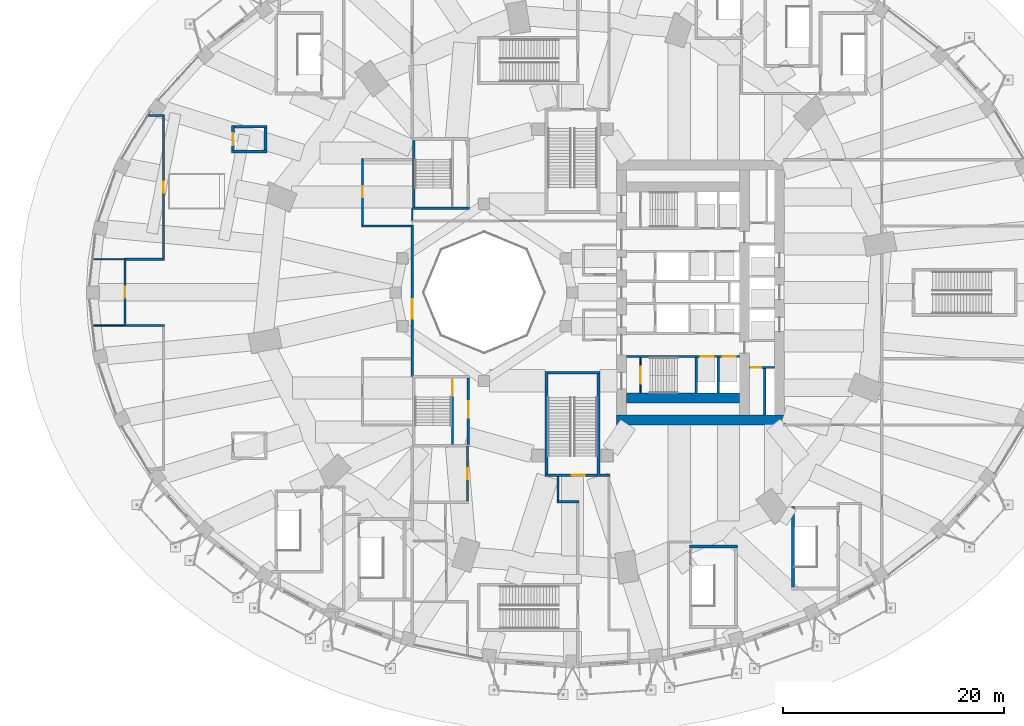
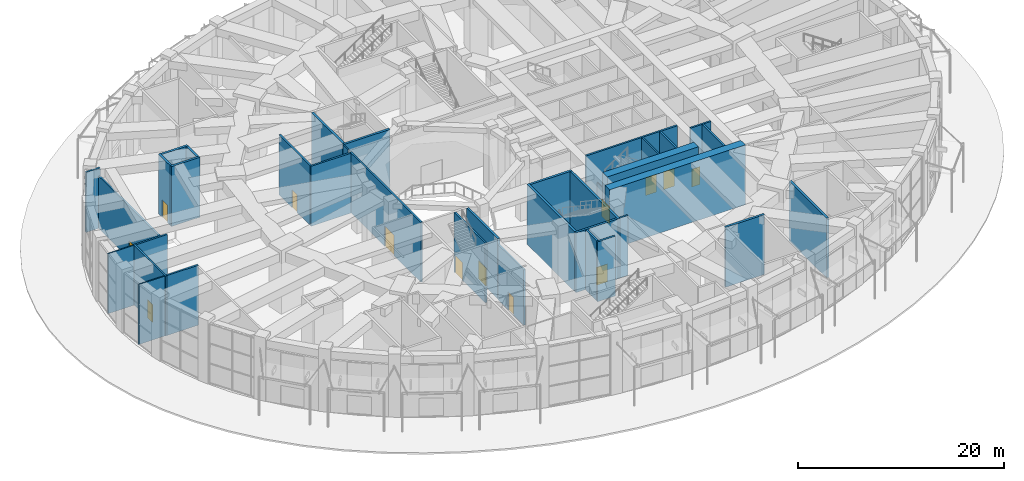
# One storey, part 35 of 60: 37 walls, 13 doors, 13 openings.
"""IFC4 building model written with IfcOpenShell, lengths in metres."""

from ifc_helpers import new_model, si_unit, direction, frame, frame_2d, origin, place, context, subcontext, project, spatial, rectangle, extrude, material, layer, layer_set, type_object, element, fill, save


model = new_model("IFC4")

# Units and contexts
model_context = context("Model", 3, precision=1e-05, world=origin(), true_north=direction((0.0, 1.0)))
body_context = subcontext(model_context, "Body", "Model", "MODEL_VIEW")
ifc_project = project(units=[si_unit("LENGTHUNIT", "METRE"), si_unit("AREAUNIT", "SQUARE_METRE"), si_unit("VOLUMEUNIT", "CUBIC_METRE"), si_unit("PLANEANGLEUNIT", "RADIAN"), si_unit("MASSUNIT", "GRAM", prefix="KILO")], contexts=[model_context])

# Site, building, storey
site_placement = place(None, origin())
site = spatial("IfcSite", under=ifc_project, at=site_placement, CompositionType="ELEMENT")
building_placement = place(site_placement, origin())
building = spatial("IfcBuilding", under=site, at=building_placement, Name="Taillehof Tower", CompositionType="ELEMENT")
storey_placement = place(building_placement, origin())
storey = spatial("IfcBuildingStorey", under=building, at=storey_placement, Name="L00", CompositionType="ELEMENT", Elevation=0.0)

# Walls
ifc_material_1 = material(Name="Calcium silicate blockwork", Category="masonry")
ifc_layer_1 = layer(ifc_material_1, 0.199951171875)
ifc_layer_set_1 = layer_set([ifc_layer_1], Name="Compartment wall EI 60 200 mm")
wall_type_1 = type_object("IfcWallType", Name="Compartment wall EI 60 200 mm", PredefinedType="PARTITIONING", material=ifc_layer_set_1)
wall_1_placement = place(storey_placement, frame((-1.39990234375, -18.945068359375, 0.0), z_axis=(0.0, 0.0, 1.0), x_axis=(1.0, 0.0, 0.0)))
element("IfcWall", 1, at=wall_1_placement, inside=storey, type_object=wall_type_1, Name="Wall L00-34 / L00-36", PredefinedType="PARTITIONING", context=body_context, shape_type="SweptSolid", body=[
    extrude(rectangle(XDim=1.98486328125, YDim=0.199951171875, at=frame_2d((0.992431640625, 0.0))), origin(), (0.0, 0.0, 1.0), 7.090087890625),
])
wall_2_placement = place(storey_placement, frame((2.47509765625, -16.544921875, 0.0), z_axis=(0.0, 0.0, 1.0), x_axis=(1.0, 0.0, 0.0)))
element("IfcWall", 2, at=wall_2_placement, inside=storey, type_object=wall_type_1, Name="Wall L00-34 / L00-36", PredefinedType="PARTITIONING", context=body_context, shape_type="SweptSolid", body=[
    extrude(rectangle(XDim=0.9248046875, YDim=0.199951171875, at=frame_2d((0.46240234375, 0.0))), origin(), (0.0, 0.0, 1.0), 7.090087890625),
])
for number, where, z_axis, x_axis, name in (
    (3, (-40.39990234375, -3.0, 0.0), (0.0, 0.0, 1.0), (1.0, 0.0, 0.0), "Wall L00-16 / L00-35"),
    (4, (-40.39990234375, 3.0, 0.0), (0.0, 0.0, 1.0), (1.0, 0.0, 0.0), "Wall L00-18 / L00-35"),
):
    element("IfcWall", number, at=place(storey_placement, frame(where, z_axis=z_axis, x_axis=x_axis)), inside=storey, type_object=wall_type_1, Name=name, PredefinedType="PARTITIONING", context=body_context, shape_type="SweptSolid", body=[
        extrude(rectangle(XDim=3.5, YDim=0.199951171875, at=frame_2d((1.75, 0.0))), origin(), (0.0, 0.0, 1.0), 7.090087890625),
    ])
wall_3_placement = place(storey_placement, frame((-19.10009765625, 6.0, 0.0), z_axis=(0.0, 0.0, 1.0), x_axis=(1.0, 0.0, 0.0)))
element("IfcWall", 5, at=wall_3_placement, inside=storey, type_object=wall_type_1, Name="Wall L00-20 / L00-35", PredefinedType="PARTITIONING", context=body_context, shape_type="SweptSolid", body=[
    extrude(rectangle(XDim=4.5, YDim=0.199951171875, at=frame_2d((2.25, 0.0))), origin(), (0.0, 0.0, 1.0), 7.090087890625),
])
wall_4_placement = place(storey_placement, frame((-38.48974609375, 16.0, 0.0), z_axis=(0.0, 0.0, 1.0), x_axis=(1.0, 0.0, 0.0)))
element("IfcWall", 6, at=wall_4_placement, inside=storey, type_object=wall_type_1, Name="Wall L00-18 / L00-35", PredefinedType="PARTITIONING", context=body_context, shape_type="SweptSolid", body=[
    extrude(rectangle(XDim=1.58984375, YDim=0.199951171875, at=frame_2d((0.794921875, 0.0))), origin(), (0.0, 0.0, 1.0), 7.090087890625),
])

# Wall, opening, door
wall_5_placement = place(storey_placement, frame((-40.5, -3.10009765625, 0.0), z_axis=(0.0, 0.0, 1.0), x_axis=(0.0, 1.0, 0.0)))
wall_5 = element("IfcWall", 7, at=wall_5_placement, inside=storey, type_object=wall_type_1, Name="Wall L00-17 / L00-35", PredefinedType="PARTITIONING", context=body_context, shape_type="SweptSolid", body=[
    extrude(rectangle(XDim=6.2001953125, YDim=0.199951171875, at=frame_2d((3.10009765625, 0.0))), origin(), (0.0, 0.0, 1.0), 7.090087890625),
])
opening_1_placement = place(wall_5_placement, frame((2.60009765625, 0.0, 0.0)))
opening_1 = element("IfcOpeningElement", 8, at=opening_1_placement, cuts=wall_5, Name="Opening D0060", PredefinedType="OPENING", context=body_context, shape_type="SweptSolid", body=[
    extrude(rectangle(XDim=1.0, YDim=2.10009765625, at=frame_2d((0.5, 1.050048828125))), frame((0.0, 0.10986328125, 0.0), z_axis=(0.0, -1.0, 0.0), x_axis=(1.0, 0.0, 0.0)), (0.0, 0.0, 1.0), 0.219970703125),
])
ifc_material_2 = material(Name="Hollow metal door set")
door_type_1 = type_object("IfcDoorType", Name="Single door 1000 x 2100 FD60S", OperationType="SINGLE_SWING_LEFT", PredefinedType="DOOR", material=ifc_material_2)
door_1_placement = place(opening_1_placement, origin())
door_1 = element("IfcDoor", 9, at=door_1_placement, inside=storey, type_object=door_type_1, Name="Door D0060", OperationType="SINGLE_SWING_LEFT", OverallHeight=2.10009765625, OverallWidth=1.0, PredefinedType="DOOR", context=body_context, shape_type="SweptSolid", body=[
    extrude(rectangle(XDim=1.0, YDim=2.10009765625, at=frame_2d((0.5, 1.050048828125))), frame((0.0, 0.02490234375, 0.0), z_axis=(0.0, -1.0, 0.0), x_axis=(1.0, 0.0, 0.0)), (0.0, 0.0, 1.0), 0.050048828125),
])
fill(opening_1, door_1)

wall_6_placement = place(storey_placement, frame((-37.0, 3.10009765625, 0.0), z_axis=(0.0, 0.0, 1.0), x_axis=(0.0, 1.0, 0.0)))
wall_6 = element("IfcWall", 10, at=wall_6_placement, inside=storey, type_object=wall_type_1, Name="Wall L00-18 / L00-35", PredefinedType="PARTITIONING", context=body_context, shape_type="SweptSolid", body=[
    extrude(rectangle(XDim=12.7998046875, YDim=0.199951171875, at=frame_2d((6.39990234375, 0.0))), origin(), (0.0, 0.0, 1.0), 6.18994140625),
])
opening_2_placement = place(wall_6_placement, frame((5.89990234375, 0.0, 0.0)))
opening_2 = element("IfcOpeningElement", 11, at=opening_2_placement, cuts=wall_6, Name="Opening D0066", PredefinedType="OPENING", context=body_context, shape_type="SweptSolid", body=[
    extrude(rectangle(XDim=1.0, YDim=2.10009765625, at=frame_2d((0.5, 1.050048828125))), frame((0.0, 0.10986328125, 0.0), z_axis=(0.0, -1.0, 0.0), x_axis=(1.0, 0.0, 0.0)), (0.0, 0.0, 1.0), 0.219970703125),
])
door_2_placement = place(opening_2_placement, origin())
door_2 = element("IfcDoor", 12, at=door_2_placement, inside=storey, type_object=door_type_1, Name="Door D0066", OperationType="SINGLE_SWING_LEFT", OverallHeight=2.10009765625, OverallWidth=1.0, PredefinedType="DOOR", context=body_context, shape_type="SweptSolid", body=[
    extrude(rectangle(XDim=1.0, YDim=2.10009765625, at=frame_2d((0.5, 1.050048828125))), frame((0.0, 0.02490234375, 0.0), z_axis=(0.0, -1.0, 0.0), x_axis=(1.0, 0.0, 0.0)), (0.0, 0.0, 1.0), 0.050048828125),
])
fill(opening_2, door_2)

wall_7_placement = place(storey_placement, frame((-19.0, 6.10009765625, 0.0), z_axis=(0.0, 0.0, 1.0), x_axis=(0.0, 1.0, 0.0)))
wall_7 = element("IfcWall", 13, at=wall_7_placement, inside=storey, type_object=wall_type_1, Name="Wall L00-20 / L00-35", PredefinedType="PARTITIONING", context=body_context, shape_type="SweptSolid", body=[
    extrude(rectangle(XDim=6.0, YDim=0.199951171875, at=frame_2d((3.0, 0.0))), origin(), (0.0, 0.0, 1.0), 7.090087890625),
])
opening_3_placement = place(wall_7_placement, frame((2.5, 0.0, 0.0)))
opening_3 = element("IfcOpeningElement", 14, at=opening_3_placement, cuts=wall_7, Name="Opening D0065", PredefinedType="OPENING", context=body_context, shape_type="SweptSolid", body=[
    extrude(rectangle(XDim=1.0, YDim=2.10009765625, at=frame_2d((0.5, 1.050048828125))), frame((0.0, 0.10986328125, 0.0), z_axis=(0.0, -1.0, 0.0), x_axis=(1.0, 0.0, 0.0)), (0.0, 0.0, 1.0), 0.219970703125),
])
door_3_placement = place(opening_3_placement, origin())
door_3 = element("IfcDoor", 15, at=door_3_placement, inside=storey, type_object=door_type_1, Name="Door D0065", OperationType="SINGLE_SWING_LEFT", OverallHeight=2.10009765625, OverallWidth=1.0, PredefinedType="DOOR", context=body_context, shape_type="SweptSolid", body=[
    extrude(rectangle(XDim=1.0, YDim=2.10009765625, at=frame_2d((0.5, 1.050048828125))), frame((0.0, 0.02490234375, 0.0), z_axis=(0.0, -1.0, 0.0), x_axis=(1.0, 0.0, 0.0)), (0.0, 0.0, 1.0), 0.050048828125),
])
fill(opening_3, door_3)

wall_8_placement = place(storey_placement, frame((-14.5, -7.60009765625, 0.0), z_axis=(0.0, 0.0, 1.0), x_axis=(0.0, 1.0, 0.0)))
wall_8 = element("IfcWall", 16, at=wall_8_placement, inside=storey, type_object=wall_type_1, Name="Wall L00-19 / L00-36", PredefinedType="PARTITIONING", context=body_context, shape_type="SweptSolid", body=[
    extrude(rectangle(XDim=13.7001953125, YDim=0.199951171875, at=frame_2d((6.85009765625, 0.0))), origin(), (0.0, 0.0, 1.0), 7.090087890625),
])
opening_4_placement = place(wall_8_placement, frame((5.199951171875, 0.0, 0.0)))
opening_4 = element("IfcOpeningElement", 17, at=opening_4_placement, cuts=wall_8, Name="Opening D0058", PredefinedType="OPENING", context=body_context, shape_type="SweptSolid", body=[
    extrude(rectangle(XDim=1.800048828125, YDim=2.39990234375, at=frame_2d((0.89990234375, 1.199951171875))), frame((0.0, 0.10986328125, 0.0), z_axis=(0.0, -1.0, 0.0), x_axis=(1.0, 0.0, 0.0)), (0.0, 0.0, 1.0), 0.219970703125),
])
ifc_material_3 = material(Name="Glazed aluminium door set", Category="aluminium")
door_type_2 = type_object("IfcDoorType", Name="Glazed double door 1800 x 2400 FD60S", OperationType="DOUBLE_DOOR_SINGLE_SWING", PredefinedType="DOOR", material=ifc_material_3)
door_4_placement = place(opening_4_placement, origin())
door_4 = element("IfcDoor", 18, at=door_4_placement, inside=storey, type_object=door_type_2, Name="Door D0058", OperationType="DOUBLE_DOOR_SINGLE_SWING", OverallHeight=2.39990234375, OverallWidth=1.800048828125, PredefinedType="DOOR", context=body_context, shape_type="SweptSolid", body=[
    extrude(rectangle(XDim=1.800048828125, YDim=2.39990234375, at=frame_2d((0.89990234375, 1.199951171875))), frame((0.0, 0.02490234375, 0.0), z_axis=(0.0, -1.0, 0.0), x_axis=(1.0, 0.0, 0.0)), (0.0, 0.0, 1.0), 0.050048828125),
])
fill(opening_4, door_4)

wall_9_placement = place(storey_placement, frame((-9.5, -18.89990234375, 0.0), z_axis=(0.0, 0.0, 1.0), x_axis=(0.0, 1.0, 0.0)))
wall_9 = element("IfcWall", 19, at=wall_9_placement, inside=storey, type_object=wall_type_1, Name="Wall L00-21 / L00-36", PredefinedType="PARTITIONING", context=body_context, shape_type="SweptSolid", body=[
    extrude(rectangle(XDim=5.0, YDim=0.199951171875, at=frame_2d((2.5, 0.0))), origin(), (0.0, 0.0, 1.0), 6.5400390625),
])
opening_5_placement = place(wall_9_placement, frame((2.0, 0.0, 0.0)))
opening_5 = element("IfcOpeningElement", 20, at=opening_5_placement, cuts=wall_9, Name="Opening D0051", PredefinedType="OPENING", context=body_context, shape_type="SweptSolid", body=[
    extrude(rectangle(XDim=1.0, YDim=2.10009765625, at=frame_2d((0.5, 1.050048828125))), frame((0.0, 0.10986328125, 0.0), z_axis=(0.0, -1.0, 0.0), x_axis=(1.0, 0.0, 0.0)), (0.0, 0.0, 1.0), 0.219970703125),
])
door_5_placement = place(opening_5_placement, origin())
door_5 = element("IfcDoor", 21, at=door_5_placement, inside=storey, type_object=door_type_1, Name="Door D0051", OperationType="SINGLE_SWING_LEFT", OverallHeight=2.10009765625, OverallWidth=1.0, PredefinedType="DOOR", context=body_context, shape_type="SweptSolid", body=[
    extrude(rectangle(XDim=1.0, YDim=2.10009765625, at=frame_2d((0.5, 1.050048828125))), frame((0.0, 0.02490234375, 0.0), z_axis=(0.0, -1.0, 0.0), x_axis=(1.0, 0.0, 0.0)), (0.0, 0.0, 1.0), 0.050048828125),
])
fill(opening_5, door_5)

# Wall
wall_10_placement = place(storey_placement, frame((-1.300048828125, -18.844970703125, 0.0), z_axis=(0.0, 0.0, 1.0), x_axis=(0.0, 1.0, 0.0)))
element("IfcWall", 22, at=wall_10_placement, inside=storey, type_object=wall_type_1, Name="Wall L00-34 / L00-36", PredefinedType="PARTITIONING", context=body_context, shape_type="SweptSolid", body=[
    extrude(rectangle(XDim=2.175048828125, YDim=0.199951171875, at=frame_2d((1.08740234375, 0.0))), origin(), (0.0, 0.0, 1.0), 7.090087890625),
])

# Wall, opening, door
ifc_material_4 = material(Name="Calcium silicate masonry", Category="masonry")
ifc_layer_2 = layer(ifc_material_4, 0.199951171875)
ifc_layer_set_2 = layer_set([ifc_layer_2], Name="Compartment wall calcium silicate 200")
wall_type_2 = type_object("IfcWallType", Name="Compartment wall calcium silicate 200", PredefinedType="PARTITIONING", material=ifc_layer_set_2)
wall_11_placement = place(storey_placement, frame((16.0, -6.800048828125, 0.0), z_axis=(0.0, 0.0, 1.0), x_axis=(1.0, 0.0, 0.0)))
wall_11 = element("IfcWall", 23, at=wall_11_placement, inside=storey, type_object=wall_type_2, Name="Compartment wall FW", PredefinedType="PARTITIONING", context=body_context, shape_type="SweptSolid", body=[
    extrude(rectangle(XDim=2.300048828125, YDim=0.199951171875, at=frame_2d((1.14990234375, 0.0))), origin(), (0.0, 0.0, 1.0), 7.090087890625),
])
opening_6_placement = place(wall_11_placement, frame((0.199951171875, 0.0, 0.0)))
opening_6 = element("IfcOpeningElement", 24, at=opening_6_placement, cuts=wall_11, Name="Opening D0016", PredefinedType="OPENING", context=body_context, shape_type="SweptSolid", body=[
    extrude(rectangle(XDim=0.89990234375, YDim=2.10009765625, at=frame_2d((0.449951171875, 1.050048828125))), frame((0.0, 0.10986328125, 0.0), z_axis=(0.0, -1.0, 0.0), x_axis=(1.0, 0.0, 0.0)), (0.0, 0.0, 1.0), 0.219970703125),
])
ifc_material_5 = material(Name="Steel-faced fire door", Category="steel")
door_type_3 = type_object("IfcDoorType", Name="Riser and service room door 900x2100", OperationType="SINGLE_SWING_LEFT", PredefinedType="DOOR", material=ifc_material_5)
door_6_placement = place(opening_6_placement, origin())
door_6 = element("IfcDoor", 25, at=door_6_placement, inside=storey, type_object=door_type_3, Name="Door Comms Room", OperationType="SINGLE_SWING_LEFT", OverallHeight=2.10009765625, OverallWidth=0.89990234375, PredefinedType="DOOR", context=body_context, shape_type="SweptSolid", body=[
    extrude(rectangle(XDim=0.89990234375, YDim=2.10009765625, at=frame_2d((0.449951171875, 1.050048828125))), frame((0.0, 0.02490234375, 0.0), z_axis=(0.0, -1.0, 0.0), x_axis=(1.0, 0.0, 0.0)), (0.0, 0.0, 1.0), 0.050048828125),
])
fill(opening_6, door_6)

# Walls
wall_12_placement = place(storey_placement, frame((17.39990234375, -11.10009765625, 0.0), z_axis=(0.0, 0.0, 1.0), x_axis=(0.0, 1.0, 0.0)))
element("IfcWall", 26, at=wall_12_placement, inside=storey, type_object=wall_type_2, Name="Compartment wall FW", PredefinedType="PARTITIONING", context=body_context, shape_type="SweptSolid", body=[
    extrude(rectangle(XDim=4.2001953125, YDim=0.199951171875, at=frame_2d((2.10009765625, 0.0))), origin(), (0.0, 0.0, 1.0), 7.090087890625),
])
ifc_material_6 = material(Name="Concrete C80/95", Category="concrete")
ifc_layer_3 = layer(ifc_material_6, 0.89990234375)
ifc_layer_set_3 = layer_set([ifc_layer_3], Name="Core wall C80/95 900")
wall_type_3 = type_object("IfcWallType", Name="Core wall C80/95 900", PredefinedType="SHEAR", material=ifc_layer_set_3)
wall_13_placement = place(storey_placement, frame((4.0, -11.550048828125, 0.0), z_axis=(0.0, 0.0, 1.0), x_axis=(1.0, 0.0, 0.0)))
element("IfcWall", 27, at=wall_13_placement, inside=storey, type_object=wall_type_3, Name="Core wall CW04", PredefinedType="SHEAR", context=body_context, shape_type="SweptSolid", body=[
    extrude(rectangle(XDim=15.199951171875, YDim=0.89990234375, at=frame_2d((7.60009765625, 0.0))), origin(), (0.0, 0.0, 1.0), 7.090087890625),
])
wall_14_placement = place(storey_placement, frame((4.89990234375, -9.550048828125, 0.0), z_axis=(0.0, 0.0, 1.0), x_axis=(1.0, 0.0, 0.0)))
element("IfcWall", 28, at=wall_14_placement, inside=storey, type_object=wall_type_3, Name="Core wall CW07", PredefinedType="SHEAR", context=body_context, shape_type="SweptSolid", body=[
    extrude(rectangle(XDim=10.2001953125, YDim=0.89990234375, at=frame_2d((5.10009765625, 0.0))), origin(), (0.0, 0.0, 1.0), 7.090087890625),
])
ifc_material_7 = material(Name="Gypsum board partition on steel studs", Category="steel")
ifc_layer_4 = layer(ifc_material_7, 0.125)
ifc_layer_set_4 = layer_set([ifc_layer_4], Name="Partition wall EI 30 125 mm")
wall_type_4 = type_object("IfcWallType", Name="Partition wall EI 30 125 mm", PredefinedType="PARTITIONING", material=ifc_layer_set_4)
for number, where, z_axis, x_axis, name in (
    (29, (-43.53564453125, -3.0, 0.0), (0.0, 0.0, 1.0), (1.0, 0.0, 0.0), "Wall L00-16 / L00-17"),
    (30, (-43.53564453125, 3.0, 0.0), (0.0, 0.0, 1.0), (1.0, 0.0, 0.0), "Wall L00-17 / L00-18"),
):
    element("IfcWall", number, at=place(storey_placement, frame(where, z_axis=z_axis, x_axis=x_axis)), inside=storey, type_object=wall_type_4, Name=name, PredefinedType="PARTITIONING", context=body_context, shape_type="SweptSolid", body=[
        extrude(rectangle(XDim=2.935546875, YDim=0.125, at=frame_2d((1.4677734375, 0.0))), origin(), (0.0, 0.0, 1.0), 7.090087890625),
    ])
wall_15_placement = place(storey_placement, frame((-14.5, 6.550048828125, 0.0), z_axis=(0.0, 0.0, 1.0), x_axis=(0.0, 1.0, 0.0)))
element("IfcWall", 31, at=wall_15_placement, inside=storey, type_object=wall_type_4, Name="Wall L00-20 / L00-37", PredefinedType="PARTITIONING", context=body_context, shape_type="SweptSolid", body=[
    extrude(rectangle(XDim=1.012451171875, YDim=0.125, at=frame_2d((0.50634765625, 0.0))), origin(), (0.0, 0.0, 1.0), 7.090087890625),
])

# Wall, openings, doors
ifc_material_8 = material(Name="Concrete C50/60", Category="concrete")
ifc_layer_5 = layer(ifc_material_8, 0.199951171875)
ifc_layer_set_5 = layer_set([ifc_layer_5], Name="Shaft wall C50/60 200")
wall_type_5 = type_object("IfcWallType", Name="Shaft wall C50/60 200", PredefinedType="SHEAR", material=ifc_layer_set_5)
wall_16_placement = place(storey_placement, frame((4.89990234375, -5.800048828125, 0.0), z_axis=(0.0, 0.0, 1.0), x_axis=(1.0, 0.0, 0.0)))
wall_16 = element("IfcWall", 32, at=wall_16_placement, inside=storey, type_object=wall_type_5, Name="Shaft wall SW", PredefinedType="SHEAR", context=body_context, shape_type="SweptSolid", body=[
    extrude(rectangle(XDim=10.2001953125, YDim=0.199951171875, at=frame_2d((5.10009765625, 0.0))), origin(), (0.0, 0.0, 1.0), 7.090087890625),
])
opening_7_placement = place(wall_16_placement, frame((6.699951171875, 0.0, 0.0)))
opening_7 = element("IfcOpeningElement", 33, at=opening_7_placement, cuts=wall_16, Name="Opening LD2", PredefinedType="OPENING", context=body_context, shape_type="SweptSolid", body=[
    extrude(rectangle(XDim=1.199951171875, YDim=2.10009765625, at=frame_2d((0.60009765625, 1.050048828125))), frame((0.0, 0.10986328125, 0.0), z_axis=(0.0, -1.0, 0.0), x_axis=(1.0, 0.0, 0.0)), (0.0, 0.0, 1.0), 0.219970703125),
])
opening_8_placement = place(wall_16_placement, frame((8.699951171875, 0.0, 0.0)))
opening_8 = element("IfcOpeningElement", 34, at=opening_8_placement, cuts=wall_16, Name="Opening LD2", PredefinedType="OPENING", context=body_context, shape_type="SweptSolid", body=[
    extrude(rectangle(XDim=1.199951171875, YDim=2.10009765625, at=frame_2d((0.60009765625, 1.050048828125))), frame((0.0, 0.10986328125, 0.0), z_axis=(0.0, -1.0, 0.0), x_axis=(1.0, 0.0, 0.0)), (0.0, 0.0, 1.0), 0.219970703125),
])
ifc_material_9 = material(Name="Stainless steel", Category="steel")
door_type_4 = type_object("IfcDoorType", Name="Lift landing door LD2 1200x2100", OperationType="DOUBLE_DOOR_SLIDING", PredefinedType="DOOR", material=ifc_material_9)
door_7_placement = place(opening_7_placement, origin())
door_7 = element("IfcDoor", 35, at=door_7_placement, inside=storey, type_object=door_type_4, Name="Landing door OB1", OperationType="DOUBLE_DOOR_SLIDING", OverallHeight=2.10009765625, OverallWidth=1.199951171875, PredefinedType="DOOR", context=body_context, shape_type="SweptSolid", body=[
    extrude(rectangle(XDim=1.199951171875, YDim=2.10009765625, at=frame_2d((0.60009765625, 1.050048828125))), frame((0.0, 0.02490234375, 0.0), z_axis=(0.0, -1.0, 0.0), x_axis=(1.0, 0.0, 0.0)), (0.0, 0.0, 1.0), 0.050048828125),
])
fill(opening_7, door_7)
door_8_placement = place(opening_8_placement, origin())
door_8 = element("IfcDoor", 36, at=door_8_placement, inside=storey, type_object=door_type_4, Name="Landing door OB2", OperationType="DOUBLE_DOOR_SLIDING", OverallHeight=2.10009765625, OverallWidth=1.199951171875, PredefinedType="DOOR", context=body_context, shape_type="SweptSolid", body=[
    extrude(rectangle(XDim=1.199951171875, YDim=2.10009765625, at=frame_2d((0.60009765625, 1.050048828125))), frame((0.0, 0.02490234375, 0.0), z_axis=(0.0, -1.0, 0.0), x_axis=(1.0, 0.0, 0.0)), (0.0, 0.0, 1.0), 0.050048828125),
])
fill(opening_8, door_8)

# Walls
for number, where, z_axis, x_axis, name in (
    (37, (11.199951171875, -9.10009765625, 0.0), (0.0, 0.0, 1.0), (0.0, 1.0, 0.0), "Shaft wall SW"),
    (38, (13.199951171875, -9.10009765625, 0.0), (0.0, 0.0, 1.0), (0.0, 1.0, 0.0), "Shaft wall SW"),
):
    element("IfcWall", number, at=place(storey_placement, frame(where, z_axis=z_axis, x_axis=x_axis)), inside=storey, type_object=wall_type_5, Name=name, PredefinedType="SHEAR", context=body_context, shape_type="SweptSolid", body=[
        extrude(rectangle(XDim=3.2001953125, YDim=0.199951171875, at=frame_2d((1.60009765625, 0.0))), origin(), (0.0, 0.0, 1.0), 7.090087890625),
    ])

# Wall, opening, door
wall_17_placement = place(storey_placement, frame((-10.85009765625, -13.75, 0.0), z_axis=(0.0, 0.0, 1.0), x_axis=(0.0, 1.0, 0.0)))
wall_17 = element("IfcWall", 39, at=wall_17_placement, inside=storey, type_object=wall_type_5, Name="Shaft wall SW", PredefinedType="SHEAR", context=body_context, shape_type="SweptSolid", body=[
    extrude(rectangle(XDim=6.0, YDim=0.199951171875, at=frame_2d((3.0, 0.0))), origin(), (0.0, 0.0, 1.0), 7.090087890625),
])
opening_9_placement = place(wall_17_placement, frame((4.39990234375, 0.0, 0.0)))
opening_9 = element("IfcOpeningElement", 40, at=opening_9_placement, cuts=wall_17, Name="Opening D0011", PredefinedType="OPENING", context=body_context, shape_type="SweptSolid", body=[
    extrude(rectangle(XDim=1.5, YDim=2.10009765625, at=frame_2d((0.75, 1.050048828125))), frame((0.0, 0.10986328125, 0.0), z_axis=(0.0, -1.0, 0.0), x_axis=(1.0, 0.0, 0.0)), (0.0, 0.0, 1.0), 0.219970703125),
])
ifc_material_10 = material(Name="Steel-faced fire door", Category="steel")
door_type_5 = type_object("IfcDoorType", Name="Stair door 1500x2100", OperationType="DOUBLE_DOOR_SINGLE_SWING", PredefinedType="DOOR", material=ifc_material_10)
door_9_placement = place(opening_9_placement, origin())
door_9 = element("IfcDoor", 41, at=door_9_placement, inside=storey, type_object=door_type_5, Name="Stair lobby door S4", OperationType="DOUBLE_DOOR_SINGLE_SWING", OverallHeight=2.10009765625, OverallWidth=1.5, PredefinedType="DOOR", context=body_context, shape_type="SweptSolid", body=[
    extrude(rectangle(XDim=1.5, YDim=2.10009765625, at=frame_2d((0.75, 1.050048828125))), frame((0.0, 0.02490234375, 0.0), z_axis=(0.0, -1.0, 0.0), x_axis=(1.0, 0.0, 0.0)), (0.0, 0.0, 1.0), 0.050048828125),
])
fill(opening_9, door_9)

# Walls
ifc_material_11 = material(Name="Calcium silicate blockwork", Category="masonry")
ifc_layer_6 = layer(ifc_material_11, 0.25)
ifc_layer_set_6 = layer_set([ifc_layer_6], Name="Shaft wall EI 120 250 mm")
wall_type_6 = type_object("IfcWallType", Name="Shaft wall EI 120 250 mm", PredefinedType="SHEAR", material=ifc_layer_set_6)
wall_18_placement = place(storey_placement, frame((-30.85009765625, 12.75, 0.0), z_axis=(0.0, 0.0, 1.0), x_axis=(1.0, 0.0, 0.0)))
element("IfcWall", 42, at=wall_18_placement, inside=storey, type_object=wall_type_6, Name="Wall L00-14 / L00-35", PredefinedType="SHEAR", context=body_context, shape_type="SweptSolid", body=[
    extrude(rectangle(XDim=3.2001953125, YDim=0.25, at=frame_2d((1.60009765625, 0.0))), origin(), (0.0, 0.0, 1.0), 7.090087890625),
])
wall_19_placement = place(storey_placement, frame((-30.60009765625, 15.0, 0.0), z_axis=(0.0, 0.0, 1.0), x_axis=(1.0, 0.0, 0.0)))
element("IfcWall", 43, at=wall_19_placement, inside=storey, type_object=wall_type_6, Name="Wall L00-14 / L00-35", PredefinedType="SHEAR", context=body_context, shape_type="SweptSolid", body=[
    extrude(rectangle(XDim=2.9501953125, YDim=0.25, at=frame_2d((1.47509765625, 0.0))), origin(), (0.0, 0.0, 1.0), 7.090087890625),
])

# Wall, opening, door
wall_20_placement = place(storey_placement, frame((-30.72509765625, 12.875, 0.0), z_axis=(0.0, 0.0, 1.0), x_axis=(0.0, 1.0, 0.0)))
wall_20 = element("IfcWall", 44, at=wall_20_placement, inside=storey, type_object=wall_type_6, Name="Wall L00-14 / L00-35", PredefinedType="SHEAR", context=body_context, shape_type="SweptSolid", body=[
    extrude(rectangle(XDim=2.25, YDim=0.25, at=frame_2d((1.125, 0.0))), origin(), (0.0, 0.0, 1.0), 7.090087890625),
])
opening_10_placement = place(wall_20_placement, frame((0.449951171875, 0.0, 0.0)))
opening_10 = element("IfcOpeningElement", 45, at=opening_10_placement, cuts=wall_20, Name="Opening LD4", PredefinedType="OPENING", context=body_context, shape_type="SweptSolid", body=[
    extrude(rectangle(XDim=1.10009765625, YDim=2.10009765625, at=frame_2d((0.550048828125, 1.050048828125))), frame((0.0, 0.135009765625, 0.0), z_axis=(0.0, -1.0, 0.0), x_axis=(1.0, 0.0, 0.0)), (0.0, 0.0, 1.0), 0.27001953125),
])
ifc_material_12 = material(Name="Brushed stainless lift door")
door_type_6 = type_object("IfcDoorType", Name="Lift landing door 1100 x 2100", OperationType="SLIDING_TO_LEFT", PredefinedType="DOOR", material=ifc_material_12)
door_10_placement = place(opening_10_placement, origin())
door_10 = element("IfcDoor", 46, at=door_10_placement, inside=storey, type_object=door_type_6, Name="Landing door D0068", OperationType="SLIDING_TO_LEFT", OverallHeight=2.10009765625, OverallWidth=1.10009765625, PredefinedType="DOOR", context=body_context, shape_type="SweptSolid", body=[
    extrude(rectangle(XDim=1.10009765625, YDim=2.10009765625, at=frame_2d((0.550048828125, 1.050048828125))), frame((0.0, 0.02490234375, 0.0), z_axis=(0.0, -1.0, 0.0), x_axis=(1.0, 0.0, 0.0)), (0.0, 0.0, 1.0), 0.050048828125),
])
fill(opening_10, door_10)

# Wall
wall_21_placement = place(storey_placement, frame((-27.77490234375, 12.875, 0.0), z_axis=(0.0, 0.0, 1.0), x_axis=(0.0, 1.0, 0.0)))
element("IfcWall", 47, at=wall_21_placement, inside=storey, type_object=wall_type_6, Name="Wall L00-14 / L00-35", PredefinedType="SHEAR", context=body_context, shape_type="SweptSolid", body=[
    extrude(rectangle(XDim=2.0, YDim=0.25, at=frame_2d((1.0, 0.0))), origin(), (0.0, 0.0, 1.0), 7.090087890625),
])

# Wall, opening, door
ifc_material_13 = material(Name="Concrete C50/60", Category="concrete")
ifc_layer_7 = layer(ifc_material_13, 0.1201171875)
ifc_layer_set_7 = layer_set([ifc_layer_7], Name="Stair lobby wall C50/60 120")
wall_type_7 = type_object("IfcWallType", Name="Stair lobby wall C50/60 120", PredefinedType="SHEAR", material=ifc_layer_set_7)
wall_22_placement = place(storey_placement, frame((6.159912109375, -9.10009765625, 0.0), z_axis=(0.0, 0.0, 1.0), x_axis=(0.0, 1.0, 0.0)))
wall_22 = element("IfcWall", 48, at=wall_22_placement, inside=storey, type_object=wall_type_7, Name="Compartment wall SW", PredefinedType="SHEAR", context=body_context, shape_type="SweptSolid", body=[
    extrude(rectangle(XDim=3.2001953125, YDim=0.1201171875, at=frame_2d((1.60009765625, 0.0))), origin(), (0.0, 0.0, 1.0), 3.5400390625),
])
opening_11_placement = place(wall_22_placement, frame((0.85009765625, 0.0, 0.0)))
opening_11 = element("IfcOpeningElement", 49, at=opening_11_placement, cuts=wall_22, Name="Opening D0009", PredefinedType="OPENING", context=body_context, shape_type="SweptSolid", body=[
    extrude(rectangle(XDim=1.5, YDim=2.10009765625, at=frame_2d((0.75, 1.050048828125))), frame((0.0, 0.070068359375, 0.0), z_axis=(0.0, -1.0, 0.0), x_axis=(1.0, 0.0, 0.0)), (0.0, 0.0, 1.0), 0.14013671875),
])
door_11_placement = place(opening_11_placement, origin())
door_11 = element("IfcDoor", 50, at=door_11_placement, inside=storey, type_object=door_type_5, Name="Stair lobby door S2", OperationType="DOUBLE_DOOR_SINGLE_SWING", OverallHeight=2.10009765625, OverallWidth=1.5, PredefinedType="DOOR", context=body_context, shape_type="SweptSolid", body=[
    extrude(rectangle(XDim=1.5, YDim=2.10009765625, at=frame_2d((0.75, 1.050048828125))), frame((0.0, 0.02490234375, 0.0), z_axis=(0.0, -1.0, 0.0), x_axis=(1.0, 0.0, 0.0)), (0.0, 0.0, 1.0), 0.050048828125),
])
fill(opening_11, door_11)

# Walls
ifc_material_14 = material(Name="Concrete C50/60", Category="concrete")
ifc_layer_8 = layer(ifc_material_14, 0.25)
ifc_layer_set_8 = layer_set([ifc_layer_8], Name="Stair wall C50/60 250")
wall_type_8 = type_object("IfcWallType", Name="Stair wall C50/60 250", PredefinedType="SHEAR", material=ifc_layer_set_8)
wall_23_placement = place(storey_placement, frame((-14.375, 7.75, 0.0), z_axis=(0.0, 0.0, 1.0), x_axis=(0.0, 1.0, 0.0)))
element("IfcWall", 51, at=wall_23_placement, inside=storey, type_object=wall_type_8, Name="Stair wall SC", PredefinedType="SHEAR", context=body_context, shape_type="SweptSolid", body=[
    extrude(rectangle(XDim=6.0, YDim=0.25, at=frame_2d((3.0, 0.0))), origin(), (0.0, 0.0, 1.0), 7.090087890625),
])
wall_24_placement = place(storey_placement, frame((-14.5, 7.625, 0.0), z_axis=(0.0, 0.0, 1.0), x_axis=(1.0, 0.0, 0.0)))
element("IfcWall", 52, at=wall_24_placement, inside=storey, type_object=wall_type_8, Name="Stair wall SC", PredefinedType="SHEAR", context=body_context, shape_type="SweptSolid", body=[
    extrude(rectangle(XDim=5.199951171875, YDim=0.25, at=frame_2d((2.60009765625, 0.0))), origin(), (0.0, 0.0, 1.0), 7.090087890625),
])

# Wall, opening, door
wall_25_placement = place(storey_placement, frame((-9.425048828125, -13.75, 0.0), z_axis=(0.0, 0.0, 1.0), x_axis=(0.0, 1.0, 0.0)))
wall_25 = element("IfcWall", 53, at=wall_25_placement, inside=storey, type_object=wall_type_8, Name="Stair wall SC", PredefinedType="SHEAR", context=body_context, shape_type="SweptSolid", body=[
    extrude(rectangle(XDim=6.0, YDim=0.25, at=frame_2d((3.0, 0.0))), origin(), (0.0, 0.0, 1.0), 7.090087890625),
])
opening_12_placement = place(wall_25_placement, frame((2.39990234375, 0.0, 0.0)))
opening_12 = element("IfcOpeningElement", 54, at=opening_12_placement, cuts=wall_25, Name="Opening D0018", PredefinedType="OPENING", context=body_context, shape_type="SweptSolid", body=[
    extrude(rectangle(XDim=1.5, YDim=2.10009765625, at=frame_2d((0.75, 1.050048828125))), frame((0.0, 0.135009765625, 0.0), z_axis=(0.0, -1.0, 0.0), x_axis=(1.0, 0.0, 0.0)), (0.0, 0.0, 1.0), 0.27001953125),
])
door_12_placement = place(opening_12_placement, origin())
door_12 = element("IfcDoor", 55, at=door_12_placement, inside=storey, type_object=door_type_5, Name="Stair door S4", OperationType="DOUBLE_DOOR_SINGLE_SWING", OverallHeight=2.10009765625, OverallWidth=1.5, PredefinedType="DOOR", context=body_context, shape_type="SweptSolid", body=[
    extrude(rectangle(XDim=1.5, YDim=2.10009765625, at=frame_2d((0.75, 1.050048828125))), frame((0.0, 0.02490234375, 0.0), z_axis=(0.0, -1.0, 0.0), x_axis=(1.0, 0.0, 0.0)), (0.0, 0.0, 1.0), 0.050048828125),
])
fill(opening_12, door_12)

# Wall
ifc_material_15 = material(Name="Concrete C40/50", Category="concrete")
ifc_layer_9 = layer(ifc_material_15, 0.25)
ifc_layer_set_9 = layer_set([ifc_layer_9], Name="Stair wall EI 120 250 mm")
wall_type_9 = type_object("IfcWallType", Name="Stair wall EI 120 250 mm", PredefinedType="SOLIDWALL", material=ifc_layer_set_9)
wall_26_placement = place(storey_placement, frame((10.574951171875, -23.0, 0.0), z_axis=(0.0, 0.0, 1.0), x_axis=(1.0, 0.0, 0.0)))
element("IfcWall", 56, at=wall_26_placement, inside=storey, type_object=wall_type_9, Name="Wall L00-11 / L00-36", PredefinedType="SOLIDWALL", context=body_context, shape_type="SweptSolid", body=[
    extrude(rectangle(XDim=4.35009765625, YDim=0.25, at=frame_2d((2.175048828125, 0.0))), origin(), (0.0, 0.0, 1.0), 7.090087890625),
])

# Wall, opening, door
wall_27_placement = place(storey_placement, frame((-2.47509765625, -16.544921875, 0.0), z_axis=(0.0, 0.0, 1.0), x_axis=(1.0, 0.0, 0.0)))
wall_27 = element("IfcWall", 57, at=wall_27_placement, inside=storey, type_object=wall_type_9, Name="Wall L00-02 / L00-36", PredefinedType="SOLIDWALL", context=body_context, shape_type="SweptSolid", body=[
    extrude(rectangle(XDim=4.7001953125, YDim=0.25, at=frame_2d((2.35009765625, 0.0))), origin(), (0.0, 0.0, 1.0), 7.090087890625),
])
opening_13_placement = place(wall_27_placement, frame((2.39990234375, 0.0, 0.0)))
opening_13 = element("IfcOpeningElement", 58, at=opening_13_placement, cuts=wall_27, Name="Opening D0050", PredefinedType="OPENING", context=body_context, shape_type="SweptSolid", body=[
    extrude(rectangle(XDim=1.199951171875, YDim=2.10009765625, at=frame_2d((0.60009765625, 1.050048828125))), frame((0.0, 0.135009765625, 0.0), z_axis=(0.0, -1.0, 0.0), x_axis=(1.0, 0.0, 0.0)), (0.0, 0.0, 1.0), 0.27001953125),
])
ifc_material_16 = material(Name="Hollow metal door set")
door_type_7 = type_object("IfcDoorType", Name="Single door 1200 x 2100 FD120S", OperationType="SINGLE_SWING_LEFT", PredefinedType="DOOR", material=ifc_material_16)
door_13_placement = place(opening_13_placement, origin())
door_13 = element("IfcDoor", 59, at=door_13_placement, inside=storey, type_object=door_type_7, Name="Door D0050", OperationType="SINGLE_SWING_RIGHT", OverallHeight=2.10009765625, OverallWidth=1.199951171875, PredefinedType="DOOR", context=body_context, shape_type="SweptSolid", body=[
    extrude(rectangle(XDim=1.199951171875, YDim=2.10009765625, at=frame_2d((0.60009765625, 1.050048828125))), frame((0.0, 0.02490234375, 0.0), z_axis=(0.0, -1.0, 0.0), x_axis=(1.0, 0.0, 0.0)), (0.0, 0.0, 1.0), 0.050048828125),
])
fill(opening_13, door_13)

# Walls
wall_28_placement = place(storey_placement, frame((-2.22509765625, -7.27490234375, 0.0), z_axis=(0.0, 0.0, 1.0), x_axis=(1.0, 0.0, 0.0)))
element("IfcWall", 60, at=wall_28_placement, inside=storey, type_object=wall_type_9, Name="Wall L00-02 / L00-36", PredefinedType="SOLIDWALL", context=body_context, shape_type="SweptSolid", body=[
    extrude(rectangle(XDim=4.7001953125, YDim=0.25, at=frame_2d((2.35009765625, 0.0))), origin(), (0.0, 0.0, 1.0), 7.090087890625),
])
for number, where, z_axis, x_axis, name in (
    (61, (-2.35009765625, -16.419921875, 0.0), (0.0, 0.0, 1.0), (0.0, 1.0, 0.0), "Wall L00-02 / L00-36"),
    (62, (2.35009765625, -16.669921875, 0.0), (0.0, 0.0, 1.0), (0.0, 1.0, 0.0), "Wall L00-02 / L00-36"),
):
    element("IfcWall", number, at=place(storey_placement, frame(where, z_axis=z_axis, x_axis=x_axis)), inside=storey, type_object=wall_type_9, Name=name, PredefinedType="SOLIDWALL", context=body_context, shape_type="SweptSolid", body=[
        extrude(rectangle(XDim=9.27001953125, YDim=0.25, at=frame_2d((4.635009765625, 0.0))), origin(), (0.0, 0.0, 1.0), 7.090087890625),
    ])
wall_29_placement = place(storey_placement, frame((19.949951171875, -26.6650390625, 0.0), z_axis=(0.0, 0.0, 1.0), x_axis=(0.0, 1.0, 0.0)))
element("IfcWall", 63, at=wall_29_placement, inside=storey, type_object=wall_type_9, Name="Wall L00-09 / L00-36", PredefinedType="SOLIDWALL", context=body_context, shape_type="SweptSolid", body=[
    extrude(rectangle(XDim=7.2900390625, YDim=0.25, at=frame_2d((3.64501953125, 0.0))), origin(), (0.0, 0.0, 1.0), 7.090087890625),
])

save(model, "model.ifc")
